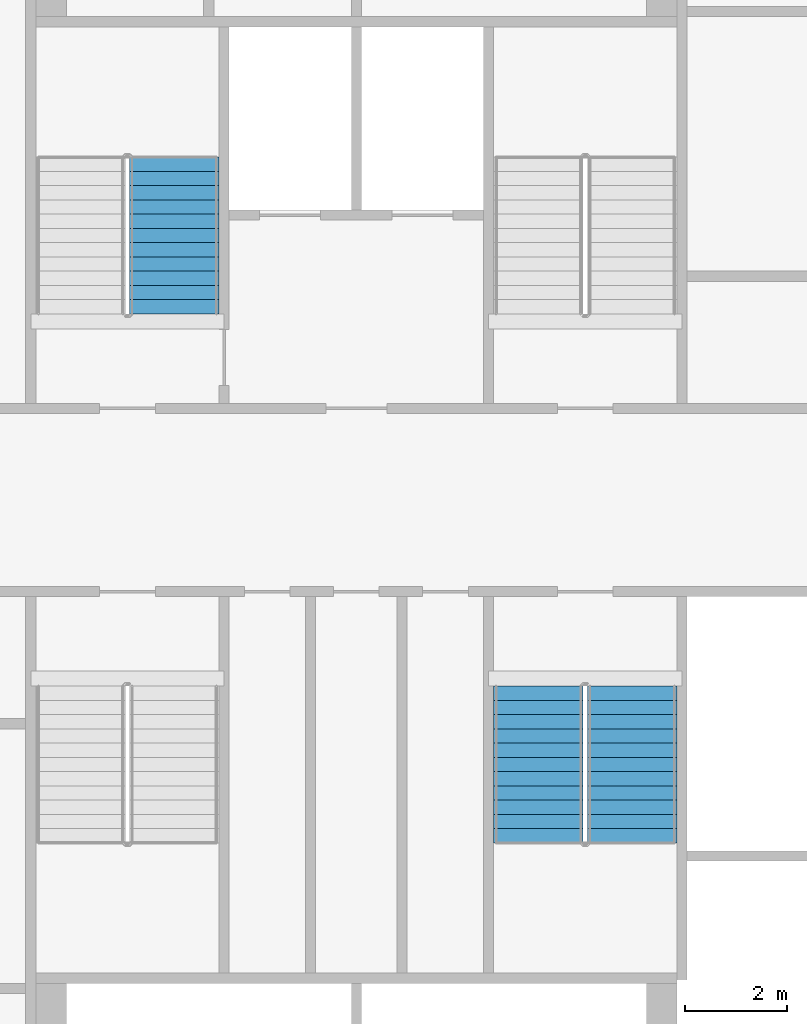
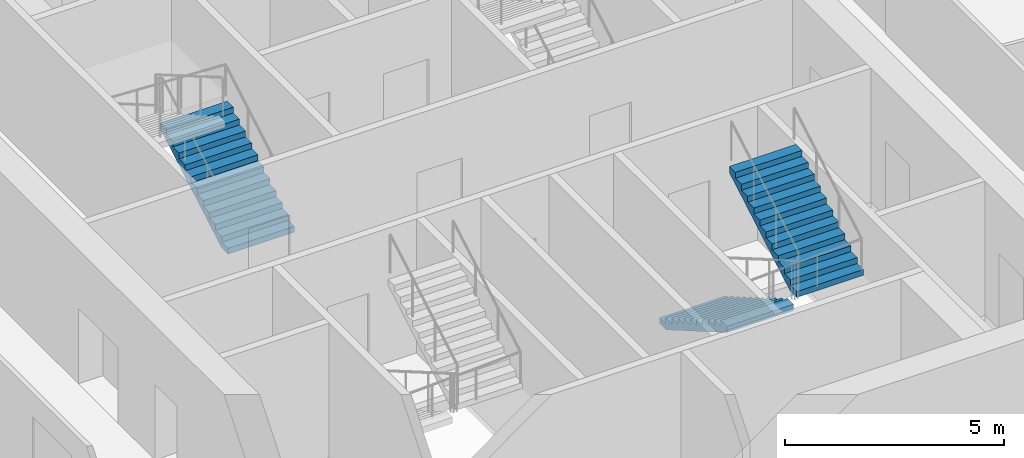
# One storey, part 9 of 15: 3 stair flights, 2 elements without a shape of their own.
"""IFC4 building model written with IfcOpenShell, lengths in metres."""

from ifc_helpers import new_model, si_unit, direction, frame, origin, place, context, subcontext, project, spatial, faceted_brep, material, type_object, element, aggregate, save


model = new_model("IFC4")

# Units and contexts
model_context = context("Model", 3, precision=1e-05, world=origin(), true_north=direction((0.0, 1.0)))
body_context = subcontext(model_context, "Body", "Model", "MODEL_VIEW")
ifc_project = project(units=[si_unit("LENGTHUNIT", "METRE"), si_unit("AREAUNIT", "SQUARE_METRE"), si_unit("VOLUMEUNIT", "CUBIC_METRE"), si_unit("PLANEANGLEUNIT", "RADIAN"), si_unit("MASSUNIT", "GRAM", prefix="KILO")], contexts=[model_context])

# Site, building, storey
site_placement = place(None, origin())
site = spatial("IfcSite", under=ifc_project, at=site_placement, CompositionType="ELEMENT")
building_placement = place(site_placement, origin())
building = spatial("IfcBuilding", under=site, at=building_placement, Name="Tarsis Ring Headquarters", CompositionType="ELEMENT")
storey_placement = place(building_placement, frame((0.0, 0.0, 167.10009765625)))
storey = spatial("IfcBuildingStorey", under=building, at=storey_placement, Name="L38", CompositionType="ELEMENT", Elevation=167.10009765625)

# Stair, stair flight
ifc_material_1 = material(Name="Core stair 1760")
stair_type = type_object("IfcStairType", Name="Core stair 1760", PredefinedType="HALF_TURN_STAIR", material=ifc_material_1)
stair_1_placement = place(storey_placement, origin())
stair_1 = element("IfcStair", 1, at=stair_1_placement, inside=storey, type_object=stair_type, Name="L38 Firefighting stair", PredefinedType="HALF_TURN_STAIR")
ifc_material_2 = material(Name="Concrete C40/50", Category="concrete")
stair_flight_type = type_object("IfcStairFlightType", Name="Core stair flight 1760", PredefinedType="STRAIGHT", material=ifc_material_2)
stair_flight_1_placement = place(storey_placement, frame((-3.580078125, 3.659912109375, 0.0), z_axis=(0.0, 0.0, 1.0), x_axis=(0.0, 1.0, 0.0)))
stair_flight_1 = element("IfcStairFlight", 2, at=stair_flight_1_placement, type_object=stair_flight_type, Name="Stair ST1 flight 1", NumberOfRisers=12, NumberOfTreads=11, PredefinedType="STRAIGHT", RiserHeight=0.1625, TreadLength=0.28, context=body_context, shape_type="Brep", body=[
    faceted_brep([(0.0, 0.8798828125, 0.0), (0.0, 0.8798828125, 0.16259765625), (0.280029296875, 0.8798828125, 0.16259765625), (0.280029296875, 0.8798828125, 0.324951171875), (0.56005859375, 0.8798828125, 0.324951171875), (0.56005859375, 0.8798828125, 0.487548828125), (0.840087890625, 0.8798828125, 0.487548828125), (0.840087890625, 0.8798828125, 0.64990234375), (1.1201171875, 0.8798828125, 0.64990234375), (1.1201171875, 0.8798828125, 0.8125), (1.39990234375, 0.8798828125, 0.8125), (1.39990234375, 0.8798828125, 0.97509765625), (1.679931640625, 0.8798828125, 0.97509765625), (1.679931640625, 0.8798828125, 1.137451171875), (1.9599609375, 0.8798828125, 1.137451171875), (1.9599609375, 0.8798828125, 1.300048828125), (2.239990234375, 0.8798828125, 1.300048828125), (2.239990234375, 0.8798828125, 1.46240234375), (2.52001953125, 0.8798828125, 1.46240234375), (2.52001953125, 0.8798828125, 1.625), (2.800048828125, 0.8798828125, 1.625), (2.800048828125, 0.8798828125, 1.78759765625), (3.080078125, 0.8798828125, 1.78759765625), (3.080078125, 0.8798828125, 1.6142578125), (0.298583984375, 0.8798828125, 0.0), (0.298583984375, -0.8798828125, 0.0), (3.080078125, -0.8798828125, 1.6142578125), (3.080078125, -0.8798828125, 1.78759765625), (2.800048828125, -0.8798828125, 1.78759765625), (2.800048828125, -0.8798828125, 1.625), (2.52001953125, -0.8798828125, 1.625), (2.52001953125, -0.8798828125, 1.46240234375), (2.239990234375, -0.8798828125, 1.46240234375), (2.239990234375, -0.8798828125, 1.300048828125), (1.9599609375, -0.8798828125, 1.300048828125), (1.9599609375, -0.8798828125, 1.137451171875), (1.679931640625, -0.8798828125, 1.137451171875), (1.679931640625, -0.8798828125, 0.97509765625), (1.39990234375, -0.8798828125, 0.97509765625), (1.39990234375, -0.8798828125, 0.8125), (1.1201171875, -0.8798828125, 0.8125), (1.1201171875, -0.8798828125, 0.64990234375), (0.840087890625, -0.8798828125, 0.64990234375), (0.840087890625, -0.8798828125, 0.487548828125), (0.56005859375, -0.8798828125, 0.487548828125), (0.56005859375, -0.8798828125, 0.324951171875), (0.280029296875, -0.8798828125, 0.324951171875), (0.280029296875, -0.8798828125, 0.16259765625), (0.0, -0.8798828125, 0.16259765625), (0.0, -0.8798828125, 0.0), (0.0, -0.43994140625, 0.16259765625), (0.0, -0.43994140625, 0.0), (0.0, 0.0, 0.16259765625), (0.0, 0.0, 0.0), (0.0, 0.43994140625, 0.16259765625), (0.0, 0.43994140625, 0.0), (0.280029296875, -0.43994140625, 0.16259765625), (0.280029296875, 0.0, 0.16259765625), (0.280029296875, 0.43994140625, 0.16259765625), (0.280029296875, -0.43994140625, 0.324951171875), (0.280029296875, 0.0, 0.324951171875), (0.280029296875, 0.43994140625, 0.324951171875), (0.56005859375, -0.43994140625, 0.324951171875), (0.56005859375, 0.0, 0.324951171875), (0.56005859375, 0.43994140625, 0.324951171875), (0.56005859375, -0.43994140625, 0.487548828125), (0.56005859375, 0.0, 0.487548828125), (0.56005859375, 0.43994140625, 0.487548828125), (0.840087890625, -0.43994140625, 0.487548828125), (0.840087890625, 0.0, 0.487548828125), (0.840087890625, 0.43994140625, 0.487548828125), (0.840087890625, -0.43994140625, 0.64990234375), (0.840087890625, 0.0, 0.64990234375), (0.840087890625, 0.43994140625, 0.64990234375), (1.1201171875, -0.43994140625, 0.64990234375), (1.1201171875, 0.0, 0.64990234375), (1.1201171875, 0.43994140625, 0.64990234375), (1.1201171875, -0.43994140625, 0.8125), (1.1201171875, 0.0, 0.8125), (1.1201171875, 0.43994140625, 0.8125), (1.39990234375, -0.43994140625, 0.8125), (1.39990234375, 0.0, 0.8125), (1.39990234375, 0.43994140625, 0.8125), (1.39990234375, -0.43994140625, 0.97509765625), (1.39990234375, 0.0, 0.97509765625), (1.39990234375, 0.43994140625, 0.97509765625), (1.679931640625, -0.43994140625, 0.97509765625), (1.679931640625, 0.0, 0.97509765625), (1.679931640625, 0.43994140625, 0.97509765625), (1.679931640625, -0.43994140625, 1.137451171875), (1.679931640625, 0.0, 1.137451171875), (1.679931640625, 0.43994140625, 1.137451171875), (1.9599609375, -0.43994140625, 1.137451171875), (1.9599609375, 0.0, 1.137451171875), (1.9599609375, 0.43994140625, 1.137451171875), (1.9599609375, -0.43994140625, 1.300048828125), (1.9599609375, 0.0, 1.300048828125), (1.9599609375, 0.43994140625, 1.300048828125), (2.239990234375, -0.43994140625, 1.300048828125), (2.239990234375, 0.0, 1.300048828125), (2.239990234375, 0.43994140625, 1.300048828125), (2.239990234375, -0.43994140625, 1.46240234375), (2.239990234375, 0.0, 1.46240234375), (2.239990234375, 0.43994140625, 1.46240234375), (2.52001953125, -0.43994140625, 1.46240234375), (2.52001953125, 0.0, 1.46240234375), (2.52001953125, 0.43994140625, 1.46240234375), (2.52001953125, -0.43994140625, 1.625), (2.52001953125, 0.0, 1.625), (2.52001953125, 0.43994140625, 1.625), (2.800048828125, -0.43994140625, 1.625), (2.800048828125, 0.0, 1.625), (2.800048828125, 0.43994140625, 1.625), (2.800048828125, -0.43994140625, 1.78759765625), (2.800048828125, 0.0, 1.78759765625), (2.800048828125, 0.43994140625, 1.78759765625), (3.080078125, -0.43994140625, 1.78759765625), (3.080078125, 0.0, 1.78759765625), (3.080078125, 0.43994140625, 1.78759765625), (3.080078125, -0.43994140625, 1.6142578125), (3.080078125, 0.0, 1.6142578125), (3.080078125, 0.43994140625, 1.6142578125), (0.298583984375, -0.43994140625, 0.0), (0.298583984375, 0.0, 0.0), (0.298583984375, 0.43994140625, 0.0)], [[[0, 1, 2, 3, 4, 5, 6, 7, 8, 9, 10, 11, 12, 13, 14, 15, 16, 17, 18, 19, 20, 21, 22, 23, 24]], [[25, 26, 27, 28, 29, 30, 31, 32, 33, 34, 35, 36, 37, 38, 39, 40, 41, 42, 43, 44, 45, 46, 47, 48, 49]], [[49, 48, 50, 51]], [[51, 50, 52, 53]], [[53, 52, 54, 55]], [[55, 54, 1, 0]], [[48, 47, 56, 50]], [[50, 56, 57, 52]], [[52, 57, 58, 54]], [[54, 58, 2, 1]], [[47, 46, 59, 56]], [[56, 59, 60, 57]], [[57, 60, 61, 58]], [[58, 61, 3, 2]], [[46, 45, 62, 59]], [[59, 62, 63, 60]], [[60, 63, 64, 61]], [[61, 64, 4, 3]], [[45, 44, 65, 62]], [[62, 65, 66, 63]], [[63, 66, 67, 64]], [[64, 67, 5, 4]], [[44, 43, 68, 65]], [[65, 68, 69, 66]], [[66, 69, 70, 67]], [[67, 70, 6, 5]], [[43, 42, 71, 68]], [[68, 71, 72, 69]], [[69, 72, 73, 70]], [[70, 73, 7, 6]], [[42, 41, 74, 71]], [[71, 74, 75, 72]], [[72, 75, 76, 73]], [[73, 76, 8, 7]], [[41, 40, 77, 74]], [[74, 77, 78, 75]], [[75, 78, 79, 76]], [[76, 79, 9, 8]], [[40, 39, 80, 77]], [[77, 80, 81, 78]], [[78, 81, 82, 79]], [[79, 82, 10, 9]], [[39, 38, 83, 80]], [[80, 83, 84, 81]], [[81, 84, 85, 82]], [[82, 85, 11, 10]], [[38, 37, 86, 83]], [[83, 86, 87, 84]], [[84, 87, 88, 85]], [[85, 88, 12, 11]], [[37, 36, 89, 86]], [[86, 89, 90, 87]], [[87, 90, 91, 88]], [[88, 91, 13, 12]], [[36, 35, 92, 89]], [[89, 92, 93, 90]], [[90, 93, 94, 91]], [[91, 94, 14, 13]], [[35, 34, 95, 92]], [[92, 95, 96, 93]], [[93, 96, 97, 94]], [[94, 97, 15, 14]], [[34, 33, 98, 95]], [[95, 98, 99, 96]], [[96, 99, 100, 97]], [[97, 100, 16, 15]], [[33, 32, 101, 98]], [[98, 101, 102, 99]], [[99, 102, 103, 100]], [[100, 103, 17, 16]], [[32, 31, 104, 101]], [[101, 104, 105, 102]], [[102, 105, 106, 103]], [[103, 106, 18, 17]], [[31, 30, 107, 104]], [[104, 107, 108, 105]], [[105, 108, 109, 106]], [[106, 109, 19, 18]], [[30, 29, 110, 107]], [[107, 110, 111, 108]], [[108, 111, 112, 109]], [[109, 112, 20, 19]], [[29, 28, 113, 110]], [[110, 113, 114, 111]], [[111, 114, 115, 112]], [[112, 115, 21, 20]], [[28, 27, 116, 113]], [[113, 116, 117, 114]], [[114, 117, 118, 115]], [[115, 118, 22, 21]], [[27, 26, 119, 116]], [[116, 119, 120, 117]], [[117, 120, 121, 118]], [[118, 121, 23, 22]], [[26, 25, 122, 119]], [[119, 122, 123, 120]], [[120, 123, 124, 121]], [[121, 124, 24, 23]], [[25, 49, 51, 122]], [[122, 51, 53, 123]], [[123, 53, 55, 124]], [[124, 55, 0, 24]]]),
])
aggregate(stair_1, [stair_flight_1])

# Stair, stair flights
stair_2_placement = place(storey_placement, origin())
stair_2 = element("IfcStair", 3, at=stair_2_placement, inside=storey, type_object=stair_type, Name="L38 Exit stair D", PredefinedType="HALF_TURN_STAIR")
stair_flight_2_placement = place(storey_placement, frame((3.580078125, -3.659912109375, 0.0), z_axis=(0.0, 0.0, 1.0), x_axis=(0.0, -1.0, 0.0)))
stair_flight_2 = element("IfcStairFlight", 4, at=stair_flight_2_placement, type_object=stair_flight_type, Name="Stair ST4 flight 1", NumberOfRisers=12, NumberOfTreads=11, PredefinedType="STRAIGHT", RiserHeight=0.1625, TreadLength=0.28, context=body_context, shape_type="Brep", body=[
    faceted_brep([(0.0, 0.8798828125, 0.0), (0.0, 0.8798828125, 0.16259765625), (0.280029296875, 0.8798828125, 0.16259765625), (0.280029296875, 0.8798828125, 0.324951171875), (0.56005859375, 0.8798828125, 0.324951171875), (0.56005859375, 0.8798828125, 0.487548828125), (0.840087890625, 0.8798828125, 0.487548828125), (0.840087890625, 0.8798828125, 0.64990234375), (1.1201171875, 0.8798828125, 0.64990234375), (1.1201171875, 0.8798828125, 0.8125), (1.39990234375, 0.8798828125, 0.8125), (1.39990234375, 0.8798828125, 0.97509765625), (1.679931640625, 0.8798828125, 0.97509765625), (1.679931640625, 0.8798828125, 1.137451171875), (1.9599609375, 0.8798828125, 1.137451171875), (1.9599609375, 0.8798828125, 1.300048828125), (2.239990234375, 0.8798828125, 1.300048828125), (2.239990234375, 0.8798828125, 1.46240234375), (2.52001953125, 0.8798828125, 1.46240234375), (2.52001953125, 0.8798828125, 1.625), (2.800048828125, 0.8798828125, 1.625), (2.800048828125, 0.8798828125, 1.78759765625), (3.080078125, 0.8798828125, 1.78759765625), (3.080078125, 0.8798828125, 1.6142578125), (0.298583984375, 0.8798828125, 0.0), (0.298583984375, -0.8798828125, 0.0), (3.080078125, -0.8798828125, 1.6142578125), (3.080078125, -0.8798828125, 1.78759765625), (2.800048828125, -0.8798828125, 1.78759765625), (2.800048828125, -0.8798828125, 1.625), (2.52001953125, -0.8798828125, 1.625), (2.52001953125, -0.8798828125, 1.46240234375), (2.239990234375, -0.8798828125, 1.46240234375), (2.239990234375, -0.8798828125, 1.300048828125), (1.9599609375, -0.8798828125, 1.300048828125), (1.9599609375, -0.8798828125, 1.137451171875), (1.679931640625, -0.8798828125, 1.137451171875), (1.679931640625, -0.8798828125, 0.97509765625), (1.39990234375, -0.8798828125, 0.97509765625), (1.39990234375, -0.8798828125, 0.8125), (1.1201171875, -0.8798828125, 0.8125), (1.1201171875, -0.8798828125, 0.64990234375), (0.840087890625, -0.8798828125, 0.64990234375), (0.840087890625, -0.8798828125, 0.487548828125), (0.56005859375, -0.8798828125, 0.487548828125), (0.56005859375, -0.8798828125, 0.324951171875), (0.280029296875, -0.8798828125, 0.324951171875), (0.280029296875, -0.8798828125, 0.16259765625), (0.0, -0.8798828125, 0.16259765625), (0.0, -0.8798828125, 0.0), (0.0, -0.43994140625, 0.16259765625), (0.0, -0.43994140625, 0.0), (0.0, 0.0, 0.16259765625), (0.0, 0.0, 0.0), (0.0, 0.43994140625, 0.16259765625), (0.0, 0.43994140625, 0.0), (0.280029296875, -0.43994140625, 0.16259765625), (0.280029296875, 0.0, 0.16259765625), (0.280029296875, 0.43994140625, 0.16259765625), (0.280029296875, -0.43994140625, 0.324951171875), (0.280029296875, 0.0, 0.324951171875), (0.280029296875, 0.43994140625, 0.324951171875), (0.56005859375, -0.43994140625, 0.324951171875), (0.56005859375, 0.0, 0.324951171875), (0.56005859375, 0.43994140625, 0.324951171875), (0.56005859375, -0.43994140625, 0.487548828125), (0.56005859375, 0.0, 0.487548828125), (0.56005859375, 0.43994140625, 0.487548828125), (0.840087890625, -0.43994140625, 0.487548828125), (0.840087890625, 0.0, 0.487548828125), (0.840087890625, 0.43994140625, 0.487548828125), (0.840087890625, -0.43994140625, 0.64990234375), (0.840087890625, 0.0, 0.64990234375), (0.840087890625, 0.43994140625, 0.64990234375), (1.1201171875, -0.43994140625, 0.64990234375), (1.1201171875, 0.0, 0.64990234375), (1.1201171875, 0.43994140625, 0.64990234375), (1.1201171875, -0.43994140625, 0.8125), (1.1201171875, 0.0, 0.8125), (1.1201171875, 0.43994140625, 0.8125), (1.39990234375, -0.43994140625, 0.8125), (1.39990234375, 0.0, 0.8125), (1.39990234375, 0.43994140625, 0.8125), (1.39990234375, -0.43994140625, 0.97509765625), (1.39990234375, 0.0, 0.97509765625), (1.39990234375, 0.43994140625, 0.97509765625), (1.679931640625, -0.43994140625, 0.97509765625), (1.679931640625, 0.0, 0.97509765625), (1.679931640625, 0.43994140625, 0.97509765625), (1.679931640625, -0.43994140625, 1.137451171875), (1.679931640625, 0.0, 1.137451171875), (1.679931640625, 0.43994140625, 1.137451171875), (1.9599609375, -0.43994140625, 1.137451171875), (1.9599609375, 0.0, 1.137451171875), (1.9599609375, 0.43994140625, 1.137451171875), (1.9599609375, -0.43994140625, 1.300048828125), (1.9599609375, 0.0, 1.300048828125), (1.9599609375, 0.43994140625, 1.300048828125), (2.239990234375, -0.43994140625, 1.300048828125), (2.239990234375, 0.0, 1.300048828125), (2.239990234375, 0.43994140625, 1.300048828125), (2.239990234375, -0.43994140625, 1.46240234375), (2.239990234375, 0.0, 1.46240234375), (2.239990234375, 0.43994140625, 1.46240234375), (2.52001953125, -0.43994140625, 1.46240234375), (2.52001953125, 0.0, 1.46240234375), (2.52001953125, 0.43994140625, 1.46240234375), (2.52001953125, -0.43994140625, 1.625), (2.52001953125, 0.0, 1.625), (2.52001953125, 0.43994140625, 1.625), (2.800048828125, -0.43994140625, 1.625), (2.800048828125, 0.0, 1.625), (2.800048828125, 0.43994140625, 1.625), (2.800048828125, -0.43994140625, 1.78759765625), (2.800048828125, 0.0, 1.78759765625), (2.800048828125, 0.43994140625, 1.78759765625), (3.080078125, -0.43994140625, 1.78759765625), (3.080078125, 0.0, 1.78759765625), (3.080078125, 0.43994140625, 1.78759765625), (3.080078125, -0.43994140625, 1.6142578125), (3.080078125, 0.0, 1.6142578125), (3.080078125, 0.43994140625, 1.6142578125), (0.298583984375, -0.43994140625, 0.0), (0.298583984375, 0.0, 0.0), (0.298583984375, 0.43994140625, 0.0)], [[[0, 1, 2, 3, 4, 5, 6, 7, 8, 9, 10, 11, 12, 13, 14, 15, 16, 17, 18, 19, 20, 21, 22, 23, 24]], [[25, 26, 27, 28, 29, 30, 31, 32, 33, 34, 35, 36, 37, 38, 39, 40, 41, 42, 43, 44, 45, 46, 47, 48, 49]], [[49, 48, 50, 51]], [[51, 50, 52, 53]], [[53, 52, 54, 55]], [[55, 54, 1, 0]], [[48, 47, 56, 50]], [[50, 56, 57, 52]], [[52, 57, 58, 54]], [[54, 58, 2, 1]], [[47, 46, 59, 56]], [[56, 59, 60, 57]], [[57, 60, 61, 58]], [[58, 61, 3, 2]], [[46, 45, 62, 59]], [[59, 62, 63, 60]], [[60, 63, 64, 61]], [[61, 64, 4, 3]], [[45, 44, 65, 62]], [[62, 65, 66, 63]], [[63, 66, 67, 64]], [[64, 67, 5, 4]], [[44, 43, 68, 65]], [[65, 68, 69, 66]], [[66, 69, 70, 67]], [[67, 70, 6, 5]], [[43, 42, 71, 68]], [[68, 71, 72, 69]], [[69, 72, 73, 70]], [[70, 73, 7, 6]], [[42, 41, 74, 71]], [[71, 74, 75, 72]], [[72, 75, 76, 73]], [[73, 76, 8, 7]], [[41, 40, 77, 74]], [[74, 77, 78, 75]], [[75, 78, 79, 76]], [[76, 79, 9, 8]], [[40, 39, 80, 77]], [[77, 80, 81, 78]], [[78, 81, 82, 79]], [[79, 82, 10, 9]], [[39, 38, 83, 80]], [[80, 83, 84, 81]], [[81, 84, 85, 82]], [[82, 85, 11, 10]], [[38, 37, 86, 83]], [[83, 86, 87, 84]], [[84, 87, 88, 85]], [[85, 88, 12, 11]], [[37, 36, 89, 86]], [[86, 89, 90, 87]], [[87, 90, 91, 88]], [[88, 91, 13, 12]], [[36, 35, 92, 89]], [[89, 92, 93, 90]], [[90, 93, 94, 91]], [[91, 94, 14, 13]], [[35, 34, 95, 92]], [[92, 95, 96, 93]], [[93, 96, 97, 94]], [[94, 97, 15, 14]], [[34, 33, 98, 95]], [[95, 98, 99, 96]], [[96, 99, 100, 97]], [[97, 100, 16, 15]], [[33, 32, 101, 98]], [[98, 101, 102, 99]], [[99, 102, 103, 100]], [[100, 103, 17, 16]], [[32, 31, 104, 101]], [[101, 104, 105, 102]], [[102, 105, 106, 103]], [[103, 106, 18, 17]], [[31, 30, 107, 104]], [[104, 107, 108, 105]], [[105, 108, 109, 106]], [[106, 109, 19, 18]], [[30, 29, 110, 107]], [[107, 110, 111, 108]], [[108, 111, 112, 109]], [[109, 112, 20, 19]], [[29, 28, 113, 110]], [[110, 113, 114, 111]], [[111, 114, 115, 112]], [[112, 115, 21, 20]], [[28, 27, 116, 113]], [[113, 116, 117, 114]], [[114, 117, 118, 115]], [[115, 118, 22, 21]], [[27, 26, 119, 116]], [[116, 119, 120, 117]], [[117, 120, 121, 118]], [[118, 121, 23, 22]], [[26, 25, 122, 119]], [[119, 122, 123, 120]], [[120, 123, 124, 121]], [[121, 124, 24, 23]], [[25, 49, 51, 122]], [[122, 51, 53, 123]], [[123, 53, 55, 124]], [[124, 55, 0, 24]]]),
])
stair_flight_3_placement = place(storey_placement, frame((5.419921875, -6.739990234375, 1.949951171875), z_axis=(0.0, 0.0, 1.0), x_axis=(0.0, 1.0, 0.0)))
stair_flight_3 = element("IfcStairFlight", 5, at=stair_flight_3_placement, type_object=stair_flight_type, Name="Stair ST4 flight 2", NumberOfRisers=12, NumberOfTreads=11, PredefinedType="STRAIGHT", RiserHeight=0.1625, TreadLength=0.28, context=body_context, shape_type="Brep", body=[
    faceted_brep([(0.0, 0.8798828125, 0.0), (0.0, 0.8798828125, 0.16259765625), (0.280029296875, 0.8798828125, 0.16259765625), (0.280029296875, 0.8798828125, 0.324951171875), (0.56005859375, 0.8798828125, 0.324951171875), (0.56005859375, 0.8798828125, 0.487548828125), (0.840087890625, 0.8798828125, 0.487548828125), (0.840087890625, 0.8798828125, 0.64990234375), (1.1201171875, 0.8798828125, 0.64990234375), (1.1201171875, 0.8798828125, 0.8125), (1.39990234375, 0.8798828125, 0.8125), (1.39990234375, 0.8798828125, 0.97509765625), (1.679931640625, 0.8798828125, 0.97509765625), (1.679931640625, 0.8798828125, 1.137451171875), (1.9599609375, 0.8798828125, 1.137451171875), (1.9599609375, 0.8798828125, 1.300048828125), (2.239990234375, 0.8798828125, 1.300048828125), (2.239990234375, 0.8798828125, 1.46240234375), (2.52001953125, 0.8798828125, 1.46240234375), (2.52001953125, 0.8798828125, 1.625), (2.800048828125, 0.8798828125, 1.625), (2.800048828125, 0.8798828125, 1.78759765625), (3.080078125, 0.8798828125, 1.78759765625), (3.080078125, 0.8798828125, 1.6142578125), (0.298583984375, 0.8798828125, 0.0), (0.298583984375, -0.8798828125, 0.0), (3.080078125, -0.8798828125, 1.6142578125), (3.080078125, -0.8798828125, 1.78759765625), (2.800048828125, -0.8798828125, 1.78759765625), (2.800048828125, -0.8798828125, 1.625), (2.52001953125, -0.8798828125, 1.625), (2.52001953125, -0.8798828125, 1.46240234375), (2.239990234375, -0.8798828125, 1.46240234375), (2.239990234375, -0.8798828125, 1.300048828125), (1.9599609375, -0.8798828125, 1.300048828125), (1.9599609375, -0.8798828125, 1.137451171875), (1.679931640625, -0.8798828125, 1.137451171875), (1.679931640625, -0.8798828125, 0.97509765625), (1.39990234375, -0.8798828125, 0.97509765625), (1.39990234375, -0.8798828125, 0.8125), (1.1201171875, -0.8798828125, 0.8125), (1.1201171875, -0.8798828125, 0.64990234375), (0.840087890625, -0.8798828125, 0.64990234375), (0.840087890625, -0.8798828125, 0.487548828125), (0.56005859375, -0.8798828125, 0.487548828125), (0.56005859375, -0.8798828125, 0.324951171875), (0.280029296875, -0.8798828125, 0.324951171875), (0.280029296875, -0.8798828125, 0.16259765625), (0.0, -0.8798828125, 0.16259765625), (0.0, -0.8798828125, 0.0), (0.0, -0.43994140625, 0.16259765625), (0.0, -0.43994140625, 0.0), (0.0, 0.0, 0.16259765625), (0.0, 0.0, 0.0), (0.0, 0.43994140625, 0.16259765625), (0.0, 0.43994140625, 0.0), (0.280029296875, -0.43994140625, 0.16259765625), (0.280029296875, 0.0, 0.16259765625), (0.280029296875, 0.43994140625, 0.16259765625), (0.280029296875, -0.43994140625, 0.324951171875), (0.280029296875, 0.0, 0.324951171875), (0.280029296875, 0.43994140625, 0.324951171875), (0.56005859375, -0.43994140625, 0.324951171875), (0.56005859375, 0.0, 0.324951171875), (0.56005859375, 0.43994140625, 0.324951171875), (0.56005859375, -0.43994140625, 0.487548828125), (0.56005859375, 0.0, 0.487548828125), (0.56005859375, 0.43994140625, 0.487548828125), (0.840087890625, -0.43994140625, 0.487548828125), (0.840087890625, 0.0, 0.487548828125), (0.840087890625, 0.43994140625, 0.487548828125), (0.840087890625, -0.43994140625, 0.64990234375), (0.840087890625, 0.0, 0.64990234375), (0.840087890625, 0.43994140625, 0.64990234375), (1.1201171875, -0.43994140625, 0.64990234375), (1.1201171875, 0.0, 0.64990234375), (1.1201171875, 0.43994140625, 0.64990234375), (1.1201171875, -0.43994140625, 0.8125), (1.1201171875, 0.0, 0.8125), (1.1201171875, 0.43994140625, 0.8125), (1.39990234375, -0.43994140625, 0.8125), (1.39990234375, 0.0, 0.8125), (1.39990234375, 0.43994140625, 0.8125), (1.39990234375, -0.43994140625, 0.97509765625), (1.39990234375, 0.0, 0.97509765625), (1.39990234375, 0.43994140625, 0.97509765625), (1.679931640625, -0.43994140625, 0.97509765625), (1.679931640625, 0.0, 0.97509765625), (1.679931640625, 0.43994140625, 0.97509765625), (1.679931640625, -0.43994140625, 1.137451171875), (1.679931640625, 0.0, 1.137451171875), (1.679931640625, 0.43994140625, 1.137451171875), (1.9599609375, -0.43994140625, 1.137451171875), (1.9599609375, 0.0, 1.137451171875), (1.9599609375, 0.43994140625, 1.137451171875), (1.9599609375, -0.43994140625, 1.300048828125), (1.9599609375, 0.0, 1.300048828125), (1.9599609375, 0.43994140625, 1.300048828125), (2.239990234375, -0.43994140625, 1.300048828125), (2.239990234375, 0.0, 1.300048828125), (2.239990234375, 0.43994140625, 1.300048828125), (2.239990234375, -0.43994140625, 1.46240234375), (2.239990234375, 0.0, 1.46240234375), (2.239990234375, 0.43994140625, 1.46240234375), (2.52001953125, -0.43994140625, 1.46240234375), (2.52001953125, 0.0, 1.46240234375), (2.52001953125, 0.43994140625, 1.46240234375), (2.52001953125, -0.43994140625, 1.625), (2.52001953125, 0.0, 1.625), (2.52001953125, 0.43994140625, 1.625), (2.800048828125, -0.43994140625, 1.625), (2.800048828125, 0.0, 1.625), (2.800048828125, 0.43994140625, 1.625), (2.800048828125, -0.43994140625, 1.78759765625), (2.800048828125, 0.0, 1.78759765625), (2.800048828125, 0.43994140625, 1.78759765625), (3.080078125, -0.43994140625, 1.78759765625), (3.080078125, 0.0, 1.78759765625), (3.080078125, 0.43994140625, 1.78759765625), (3.080078125, -0.43994140625, 1.6142578125), (3.080078125, 0.0, 1.6142578125), (3.080078125, 0.43994140625, 1.6142578125), (0.298583984375, -0.43994140625, 0.0), (0.298583984375, 0.0, 0.0), (0.298583984375, 0.43994140625, 0.0)], [[[0, 1, 2, 3, 4, 5, 6, 7, 8, 9, 10, 11, 12, 13, 14, 15, 16, 17, 18, 19, 20, 21, 22, 23, 24]], [[25, 26, 27, 28, 29, 30, 31, 32, 33, 34, 35, 36, 37, 38, 39, 40, 41, 42, 43, 44, 45, 46, 47, 48, 49]], [[49, 48, 50, 51]], [[51, 50, 52, 53]], [[53, 52, 54, 55]], [[55, 54, 1, 0]], [[48, 47, 56, 50]], [[50, 56, 57, 52]], [[52, 57, 58, 54]], [[54, 58, 2, 1]], [[47, 46, 59, 56]], [[56, 59, 60, 57]], [[57, 60, 61, 58]], [[58, 61, 3, 2]], [[46, 45, 62, 59]], [[59, 62, 63, 60]], [[60, 63, 64, 61]], [[61, 64, 4, 3]], [[45, 44, 65, 62]], [[62, 65, 66, 63]], [[63, 66, 67, 64]], [[64, 67, 5, 4]], [[44, 43, 68, 65]], [[65, 68, 69, 66]], [[66, 69, 70, 67]], [[67, 70, 6, 5]], [[43, 42, 71, 68]], [[68, 71, 72, 69]], [[69, 72, 73, 70]], [[70, 73, 7, 6]], [[42, 41, 74, 71]], [[71, 74, 75, 72]], [[72, 75, 76, 73]], [[73, 76, 8, 7]], [[41, 40, 77, 74]], [[74, 77, 78, 75]], [[75, 78, 79, 76]], [[76, 79, 9, 8]], [[40, 39, 80, 77]], [[77, 80, 81, 78]], [[78, 81, 82, 79]], [[79, 82, 10, 9]], [[39, 38, 83, 80]], [[80, 83, 84, 81]], [[81, 84, 85, 82]], [[82, 85, 11, 10]], [[38, 37, 86, 83]], [[83, 86, 87, 84]], [[84, 87, 88, 85]], [[85, 88, 12, 11]], [[37, 36, 89, 86]], [[86, 89, 90, 87]], [[87, 90, 91, 88]], [[88, 91, 13, 12]], [[36, 35, 92, 89]], [[89, 92, 93, 90]], [[90, 93, 94, 91]], [[91, 94, 14, 13]], [[35, 34, 95, 92]], [[92, 95, 96, 93]], [[93, 96, 97, 94]], [[94, 97, 15, 14]], [[34, 33, 98, 95]], [[95, 98, 99, 96]], [[96, 99, 100, 97]], [[97, 100, 16, 15]], [[33, 32, 101, 98]], [[98, 101, 102, 99]], [[99, 102, 103, 100]], [[100, 103, 17, 16]], [[32, 31, 104, 101]], [[101, 104, 105, 102]], [[102, 105, 106, 103]], [[103, 106, 18, 17]], [[31, 30, 107, 104]], [[104, 107, 108, 105]], [[105, 108, 109, 106]], [[106, 109, 19, 18]], [[30, 29, 110, 107]], [[107, 110, 111, 108]], [[108, 111, 112, 109]], [[109, 112, 20, 19]], [[29, 28, 113, 110]], [[110, 113, 114, 111]], [[111, 114, 115, 112]], [[112, 115, 21, 20]], [[28, 27, 116, 113]], [[113, 116, 117, 114]], [[114, 117, 118, 115]], [[115, 118, 22, 21]], [[27, 26, 119, 116]], [[116, 119, 120, 117]], [[117, 120, 121, 118]], [[118, 121, 23, 22]], [[26, 25, 122, 119]], [[119, 122, 123, 120]], [[120, 123, 124, 121]], [[121, 124, 24, 23]], [[25, 49, 51, 122]], [[122, 51, 53, 123]], [[123, 53, 55, 124]], [[124, 55, 0, 24]]]),
])
aggregate(stair_2, [stair_flight_2, stair_flight_3])

save(model, "model.ifc")
